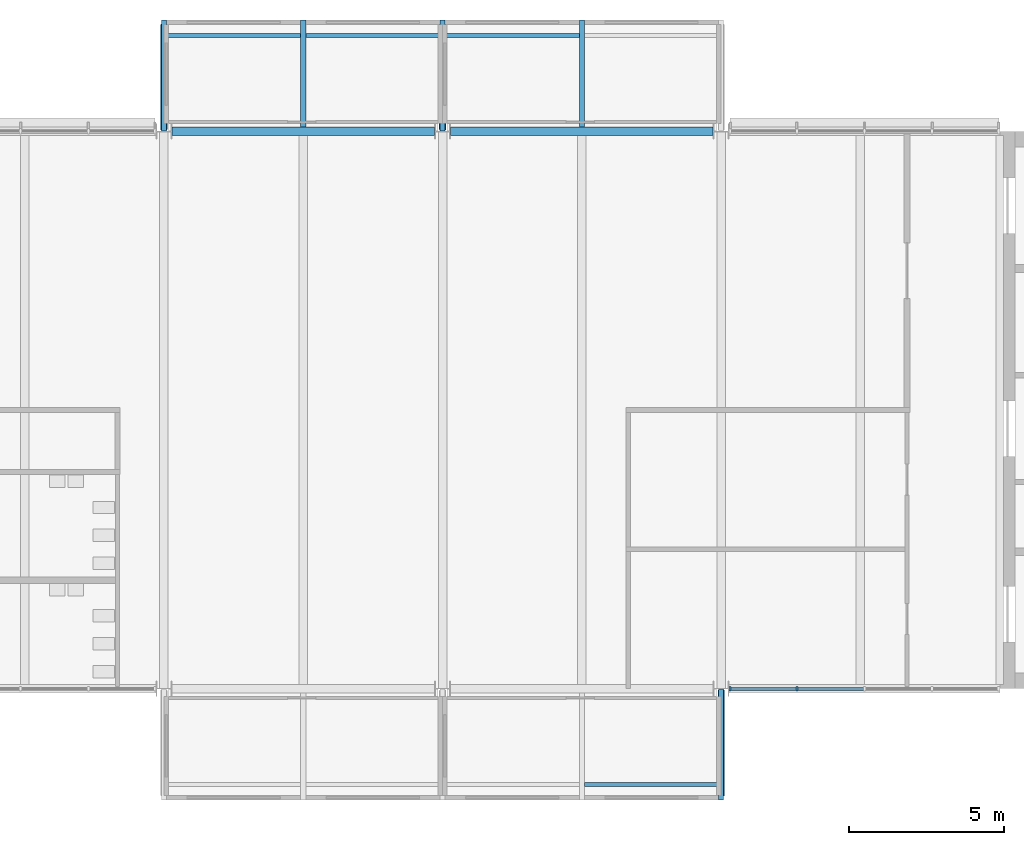
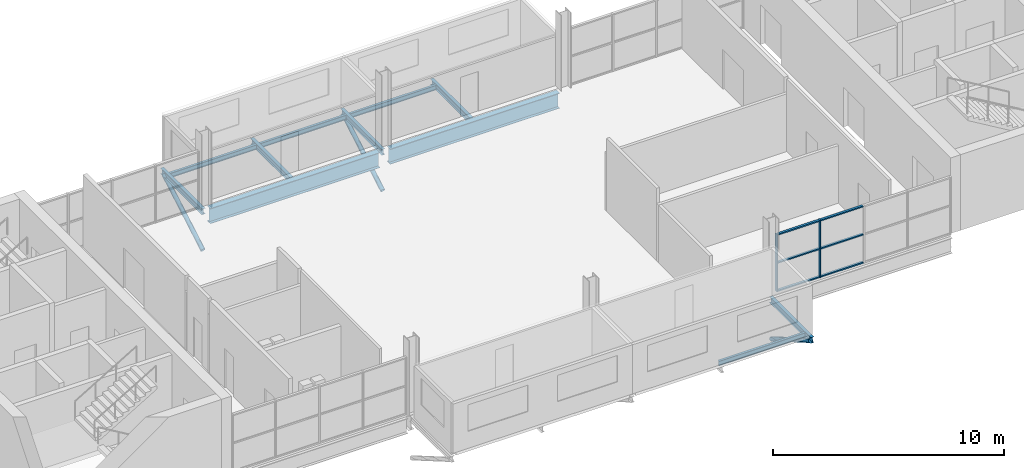
# One storey, part 2 of 10: 11 beams, 11 members, 1 element without a shape of its own.
"""IFC4 building model written with IfcOpenShell, lengths in metres."""

from ifc_helpers import new_model, si_unit, direction, frame, origin, origin_2d, place, context, subcontext, project, spatial, rectangle, hollow_circle, i_section, extrude, material, layer, layer_set, material_profile, profile_set, type_object, element, aggregate, save


model = new_model("IFC4")

# Units and contexts
model_context = context("Model", 3, precision=1e-05, world=origin(), true_north=direction((0.0, 1.0)))
body_context = subcontext(model_context, "Body", "Model", "MODEL_VIEW")
ifc_project = project(units=[si_unit("LENGTHUNIT", "METRE"), si_unit("AREAUNIT", "SQUARE_METRE"), si_unit("VOLUMEUNIT", "CUBIC_METRE"), si_unit("PLANEANGLEUNIT", "RADIAN"), si_unit("MASSUNIT", "GRAM", prefix="KILO")], contexts=[model_context])

# Site, building, storey
site_placement = place(None, origin())
site = spatial("IfcSite", under=ifc_project, at=site_placement, CompositionType="ELEMENT")
building_placement = place(site_placement, origin())
building = spatial("IfcBuilding", under=site, at=building_placement, Name="Corbel Yard City Hall", CompositionType="ELEMENT")
storey_placement = place(building_placement, frame((0.0, 0.0, 19.199951171875)))
storey = spatial("IfcBuildingStorey", under=building, at=storey_placement, Name="L04", CompositionType="ELEMENT", Elevation=19.199951171875)

# Beams
ifc_material_1 = material(Name="Steel Grade 350", Category="steel")
ifc_material_profile_1 = material_profile(ifc_material_1, i_section(OverallWidth=0.27490234375, OverallDepth=0.81005859375, WebThickness=0.010009765625, FlangeThickness=0.02490234375, at=origin_2d()), Name="800WB168")
ifc_profile_set_1 = profile_set([ifc_material_profile_1], Name="Steel Grade 350")
beam_type_1 = type_object("IfcBeamType", Name="Edge beam 800WB168", PredefinedType="BEAM", material=ifc_profile_set_1)
for number, where, z_axis, x_axis, name in (
    (1, (18.257080078125, 117.0, -0.554931640625), (1.0, 0.0, 0.0), (0.0, 1.0, 0.0), "Edge beam 800WB168 EB3 L04tower"),
    (2, (27.257080078125, 117.0, -0.554931640625), (1.0, 0.0, 0.0), (0.0, 1.0, 0.0), "Edge beam 800WB168 EB3 L04tower"),
):
    element("IfcBeam", number, at=place(storey_placement, frame(where, z_axis=z_axis, x_axis=x_axis)), inside=storey, type_object=beam_type_1, Name=name, PredefinedType="BEAM", context=body_context, shape_type="SweptSolid", body=[
        extrude(i_section(OverallWidth=0.27490234375, OverallDepth=0.81005859375, WebThickness=0.010009765625, FlangeThickness=0.02490234375, at=origin_2d()), origin(), (0.0, 0.0, 1.0), 8.48583984375),
    ])

# Curtain wall, members
ifc_material_2 = material(Name="Aluminium extrusion", Category="aluminium")
ifc_layer = layer(ifc_material_2, 0.14990234375)
ifc_layer_set = layer_set([ifc_layer], Name="Aluminium extrusion")
curtain_wall_type = type_object("IfcCurtainWallType", Name="CW2", PredefinedType="USERDEFINED", material=ifc_layer_set)
curtain_wall_placement = place(storey_placement, origin())
curtain_wall = element("IfcCurtainWall", 3, at=curtain_wall_placement, inside=storey, type_object=curtain_wall_type, Name="Curtain wall CW2 L04", ObjectType="CURTAIN WALL", PredefinedType="USERDEFINED")
ifc_material_profile_2 = material_profile(ifc_material_2, rectangle(XDim=0.14990234375, YDim=0.06494140625, at=origin_2d()), Name="150x65")
ifc_profile_set_2 = profile_set([ifc_material_profile_2], Name="Aluminium extrusion")
member_type_1 = type_object("IfcMemberType", Name="ML2", PredefinedType="MULLION", material=ifc_profile_set_2)
member_1_placement = place(storey_placement, frame((36.28955078125, 99.0, 0.0), z_axis=(0.0, 0.0, 1.0), x_axis=(0.0, 1.0, 0.0)))
member_1 = element("IfcMember", 4, at=member_1_placement, type_object=member_type_1, Name="CW2 mullion 1", PredefinedType="MULLION", context=body_context, shape_type="SweptSolid", body=[
    extrude(rectangle(XDim=0.14990234375, YDim=0.06494140625, at=origin_2d()), origin(), (0.0, 0.0, 1.0), 3.0400390625),
])
member_2_placement = place(storey_placement, frame((38.44287109375, 99.0, 0.0), z_axis=(0.0, 0.0, 1.0), x_axis=(0.0, 1.0, 0.0)))
member_2 = element("IfcMember", 5, at=member_2_placement, type_object=member_type_1, Name="CW2 mullion 2", PredefinedType="MULLION", context=body_context, shape_type="SweptSolid", body=[
    extrude(rectangle(XDim=0.14990234375, YDim=0.06494140625, at=origin_2d()), origin(), (0.0, 0.0, 1.0), 3.0400390625),
])

# Members
ifc_material_3 = material(Name="Steel Grade C350L0", Category="steel")
ifc_material_profile_3 = material_profile(ifc_material_3, hollow_circle(Radius=0.109619140625, WallThickness=0.00830078125, at=origin_2d()), Name="219.1x8.2CHS")
ifc_profile_set_3 = profile_set([ifc_material_profile_3], Name="Steel Grade C350L0")
member_type_2 = type_object("IfcMemberType", Name="Pod knee brace", PredefinedType="BRACE", material=ifc_profile_set_3)
for number, where, z_axis, x_axis, name in (
    (6, (36.0, 95.56005859375, -0.4169921875), (0.0, 0.864719662222, -0.502254821546), (-1.0, 0.0, 0.0), "Pod knee brace"),
    (7, (18.0, 120.43994140625, -0.4169921875), (0.0, -0.864719662222, -0.502254821546), (1.0, 0.0, 0.0), "Pod knee brace"),
    (8, (27.0, 120.43994140625, -0.4169921875), (0.0, -0.864719662222, -0.502254821546), (1.0, 0.0, 0.0), "Pod knee brace"),
):
    element("IfcMember", number, at=place(storey_placement, frame(where, z_axis=z_axis, x_axis=x_axis)), inside=storey, type_object=member_type_2, Name=name, PredefinedType="BRACE", context=body_context, shape_type="SweptSolid", body=[
        extrude(hollow_circle(Radius=0.109619140625, WallThickness=0.00830078125, at=origin_2d()), origin(), (0.0, 0.0, 1.0), 3.89990234375),
    ])

# Beams
ifc_material_4 = material(Name="Steel Grade 300 (300 MPa yield)", Category="steel")
ifc_material_profile_4 = material_profile(ifc_material_4, i_section(OverallWidth=0.166015625, OverallDepth=0.306884765625, WebThickness=0.006591796875, FlangeThickness=0.01171875, at=origin_2d()), Name="310UB46.2")
ifc_profile_set_4 = profile_set([ifc_material_profile_4], Name="Steel Grade 300 (300 MPa yield)")
beam_type_2 = type_object("IfcBeamType", Name="Pod stub beam 310UB46.2", PredefinedType="BEAM", material=ifc_profile_set_4)
for number, where, z_axis, x_axis, name in (
    (9, (36.0, 95.39990234375, -0.303466796875), (0.0, 1.0, 0.0), (-1.0, 0.0, 0.0), "Pod stub 310UB46.2 CB1 L04"),
    (10, (18.0, 117.012451171875, -0.303466796875), (0.0, 1.0, 0.0), (-1.0, 0.0, 0.0), "Pod stub 310UB46.2 CB1 L04"),
):
    element("IfcBeam", number, at=place(storey_placement, frame(where, z_axis=z_axis, x_axis=x_axis)), inside=storey, type_object=beam_type_2, Name=name, PredefinedType="BEAM", context=body_context, shape_type="SweptSolid", body=[
        extrude(i_section(OverallWidth=0.166015625, OverallDepth=0.306884765625, WebThickness=0.006591796875, FlangeThickness=0.01171875, at=origin_2d()), origin(), (0.0, 0.0, 1.0), 3.587646484375),
    ])
beam_1_placement = place(storey_placement, frame((22.5, 117.137451171875, -0.303466796875), z_axis=(0.0, 1.0, 0.0), x_axis=(-1.0, 0.0, 0.0)))
element("IfcBeam", 11, at=beam_1_placement, inside=storey, type_object=beam_type_2, Name="Pod stub 310UB46.2 CB1 L04", PredefinedType="BEAM", context=body_context, shape_type="SweptSolid", body=[
    extrude(i_section(OverallWidth=0.166015625, OverallDepth=0.306884765625, WebThickness=0.006591796875, FlangeThickness=0.01171875, at=origin_2d()), origin(), (0.0, 0.0, 1.0), 3.462646484375),
])
beam_2_placement = place(storey_placement, frame((27.0, 117.012451171875, -0.303466796875), z_axis=(0.0, 1.0, 0.0), x_axis=(-1.0, 0.0, 0.0)))
element("IfcBeam", 12, at=beam_2_placement, inside=storey, type_object=beam_type_2, Name="Pod stub 310UB46.2 CB1 L04", PredefinedType="BEAM", context=body_context, shape_type="SweptSolid", body=[
    extrude(i_section(OverallWidth=0.166015625, OverallDepth=0.306884765625, WebThickness=0.006591796875, FlangeThickness=0.01171875, at=origin_2d()), origin(), (0.0, 0.0, 1.0), 3.587646484375),
])
beam_3_placement = place(storey_placement, frame((31.5, 117.137451171875, -0.303466796875), z_axis=(0.0, 1.0, 0.0), x_axis=(-1.0, 0.0, 0.0)))
element("IfcBeam", 13, at=beam_3_placement, inside=storey, type_object=beam_type_2, Name="Pod stub 310UB46.2 CB1 L04", PredefinedType="BEAM", context=body_context, shape_type="SweptSolid", body=[
    extrude(i_section(OverallWidth=0.166015625, OverallDepth=0.306884765625, WebThickness=0.006591796875, FlangeThickness=0.01171875, at=origin_2d()), origin(), (0.0, 0.0, 1.0), 3.462646484375),
])
ifc_material_profile_5 = material_profile(ifc_material_4, i_section(OverallWidth=0.1240234375, OverallDepth=0.248046875, WebThickness=0.0048828125, FlangeThickness=0.008056640625, at=origin_2d()), Name="250UB25.7")
ifc_profile_set_5 = profile_set([ifc_material_profile_5], Name="Steel Grade 300 (300 MPa yield)")
beam_type_3 = type_object("IfcBeamType", Name="Pod tip beam", PredefinedType="BEAM", material=ifc_profile_set_5)
for number, where, z_axis, x_axis, name in (
    (14, (31.5830078125, 95.89990234375, -0.27392578125), (1.0, 0.0, 0.0), (0.0, 1.0, 0.0), "Pod tip beam"),
    (15, (18.0830078125, 120.10009765625, -0.27392578125), (1.0, 0.0, 0.0), (0.0, 1.0, 0.0), "Pod tip beam"),
    (16, (22.5830078125, 120.10009765625, -0.27392578125), (1.0, 0.0, 0.0), (0.0, 1.0, 0.0), "Pod tip beam"),
    (17, (27.0830078125, 120.10009765625, -0.27392578125), (1.0, 0.0, 0.0), (0.0, 1.0, 0.0), "Pod tip beam"),
):
    element("IfcBeam", number, at=place(storey_placement, frame(where, z_axis=z_axis, x_axis=x_axis)), inside=storey, type_object=beam_type_3, Name=name, PredefinedType="BEAM", context=body_context, shape_type="SweptSolid", body=[
        extrude(i_section(OverallWidth=0.1240234375, OverallDepth=0.248046875, WebThickness=0.0048828125, FlangeThickness=0.008056640625, at=origin_2d()), origin(), (0.0, 0.0, 1.0), 4.333984375),
    ])

# Member
ifc_material_profile_6 = material_profile(ifc_material_2, rectangle(XDim=0.1201171875, YDim=0.06494140625, at=origin_2d()), Name="120x65")
ifc_profile_set_6 = profile_set([ifc_material_profile_6], Name="Aluminium extrusion")
member_type_3 = type_object("IfcMemberType", Name="TR2", PredefinedType="USERDEFINED", material=ifc_profile_set_6)
member_3_placement = place(storey_placement, frame((36.322021484375, 99.0, 0.032470703125), z_axis=(1.0, 0.0, 0.0), x_axis=(0.0, 1.0, 0.0)))
member_3 = element("IfcMember", 18, at=member_3_placement, type_object=member_type_3, Name="CW2 transom 1.1", ObjectType="TRANSOM", PredefinedType="USERDEFINED", context=body_context, shape_type="SweptSolid", body=[
    extrude(rectangle(XDim=0.1201171875, YDim=0.06494140625, at=origin_2d()), origin(), (0.0, 0.0, 1.0), 2.088134765625),
])

member_4_placement = place(storey_placement, frame((36.322021484375, 99.0, 1.52001953125), z_axis=(1.0, 0.0, 0.0), x_axis=(0.0, 1.0, 0.0)))
member_4 = element("IfcMember", 19, at=member_4_placement, type_object=member_type_3, Name="CW2 transom 1.2", ObjectType="TRANSOM", PredefinedType="USERDEFINED", context=body_context, shape_type="SweptSolid", body=[
    extrude(rectangle(XDim=0.1201171875, YDim=0.06494140625, at=origin_2d()), origin(), (0.0, 0.0, 1.0), 2.088134765625),
])

member_5_placement = place(storey_placement, frame((36.322021484375, 99.0, 3.007568359375), z_axis=(1.0, 0.0, 0.0), x_axis=(0.0, 1.0, 0.0)))
member_5 = element("IfcMember", 20, at=member_5_placement, type_object=member_type_3, Name="CW2 transom 1.3", ObjectType="TRANSOM", PredefinedType="USERDEFINED", context=body_context, shape_type="SweptSolid", body=[
    extrude(rectangle(XDim=0.1201171875, YDim=0.06494140625, at=origin_2d()), origin(), (0.0, 0.0, 1.0), 2.088134765625),
])

member_6_placement = place(storey_placement, frame((38.475341796875, 99.0, 0.032470703125), z_axis=(1.0, 0.0, 0.0), x_axis=(0.0, 1.0, 0.0)))
member_6 = element("IfcMember", 21, at=member_6_placement, type_object=member_type_3, Name="CW2 transom 2.1", ObjectType="TRANSOM", PredefinedType="USERDEFINED", context=body_context, shape_type="SweptSolid", body=[
    extrude(rectangle(XDim=0.1201171875, YDim=0.06494140625, at=origin_2d()), origin(), (0.0, 0.0, 1.0), 2.12060546875),
])

member_7_placement = place(storey_placement, frame((38.475341796875, 99.0, 1.52001953125), z_axis=(1.0, 0.0, 0.0), x_axis=(0.0, 1.0, 0.0)))
member_7 = element("IfcMember", 22, at=member_7_placement, type_object=member_type_3, Name="CW2 transom 2.2", ObjectType="TRANSOM", PredefinedType="USERDEFINED", context=body_context, shape_type="SweptSolid", body=[
    extrude(rectangle(XDim=0.1201171875, YDim=0.06494140625, at=origin_2d()), origin(), (0.0, 0.0, 1.0), 2.12060546875),
])

member_8_placement = place(storey_placement, frame((38.475341796875, 99.0, 3.007568359375), z_axis=(1.0, 0.0, 0.0), x_axis=(0.0, 1.0, 0.0)))
member_8 = element("IfcMember", 23, at=member_8_placement, type_object=member_type_3, Name="CW2 transom 2.3", ObjectType="TRANSOM", PredefinedType="USERDEFINED", context=body_context, shape_type="SweptSolid", body=[
    extrude(rectangle(XDim=0.1201171875, YDim=0.06494140625, at=origin_2d()), origin(), (0.0, 0.0, 1.0), 2.12060546875),
])

aggregate(curtain_wall, [member_1, member_2, member_3, member_4, member_5, member_6, member_7, member_8])

save(model, "model.ifc")
